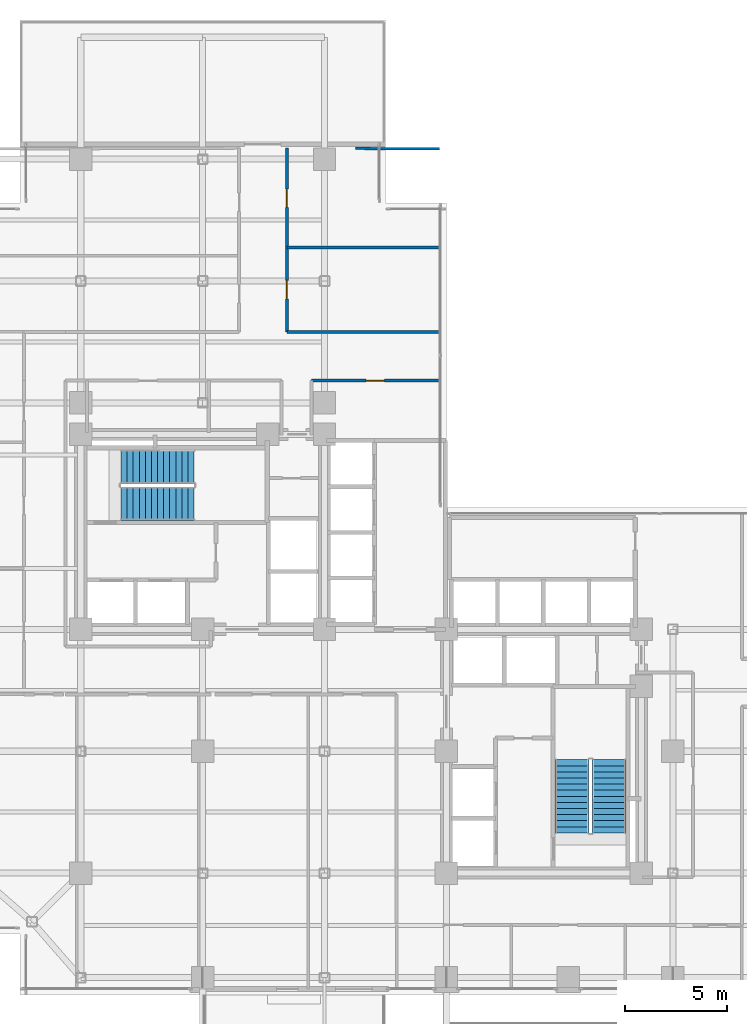
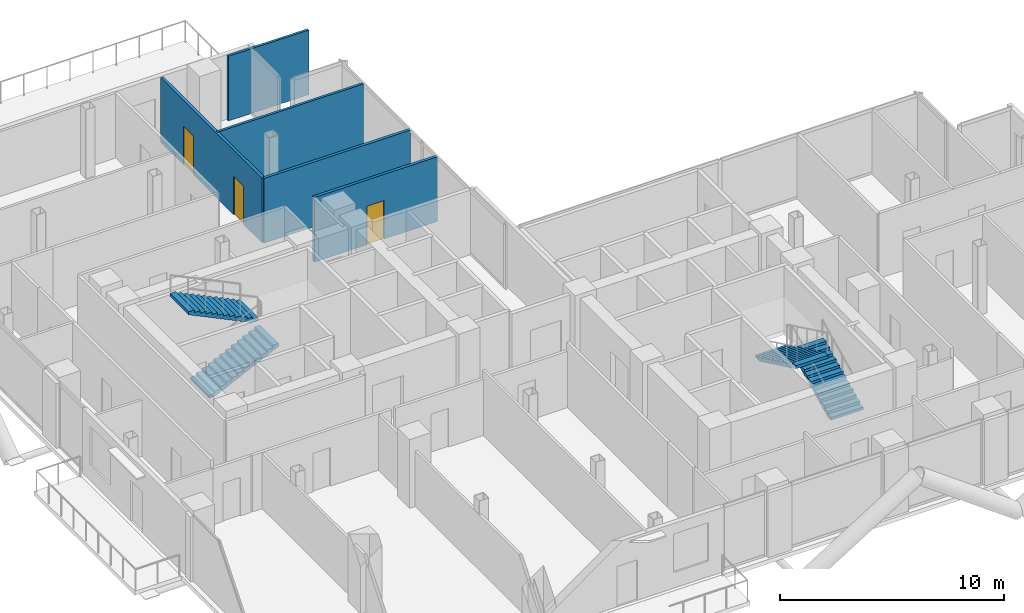
# One storey, part 23 of 26: 5 walls, 4 stair flights, 3 doors, 3 openings, 2 elements without a shape of their own.
"""IFC4 building model written with IfcOpenShell, lengths in metres."""

from ifc_helpers import new_model, si_unit, direction, frame, frame_2d, origin, place, context, subcontext, project, spatial, polyline, rectangle, outline, extrude, material, layer, layer_set, type_object, element, fill, aggregate, save


model = new_model("IFC4")

# Units and contexts
model_context = context("Model", 3, precision=1e-05, world=origin(), true_north=direction((0.0, 1.0)))
body_context = subcontext(model_context, "Body", "Model", "MODEL_VIEW")
ifc_project = project(units=[si_unit("LENGTHUNIT", "METRE"), si_unit("AREAUNIT", "SQUARE_METRE"), si_unit("VOLUMEUNIT", "CUBIC_METRE"), si_unit("PLANEANGLEUNIT", "RADIAN"), si_unit("MASSUNIT", "GRAM", prefix="KILO"), si_unit("THERMODYNAMICTEMPERATUREUNIT", "KELVIN"), si_unit("POWERUNIT", "WATT")], contexts=[model_context])

# Site, building, storey
site_placement = place(None, origin())
site = spatial("IfcSite", under=ifc_project, at=site_placement, CompositionType="ELEMENT")
building_placement = place(site_placement, origin())
building = spatial("IfcBuilding", under=site, at=building_placement, Name="Svarakhadi Broadcast Tower", CompositionType="ELEMENT")
storey_placement = place(building_placement, frame((0.0, 0.0, 99.60009765625)))
storey = spatial("IfcBuildingStorey", under=building, at=storey_placement, Name="L23", CompositionType="ELEMENT", Elevation=99.60009765625)

# Walls
ifc_material_1 = material(Name="Fire-Rated Moisture-Resistant Gypsum Board Partition", Category="gypsum")
ifc_layer_1 = layer(ifc_material_1, 0.125)
ifc_layer_set_1 = layer_set([ifc_layer_1], Name="Fire-Rated Moisture-Resistant Gypsum Board Partition")
wall_type_1 = type_object("IfcWallType", Name="Wall_Part_125", PredefinedType="PARTITIONING", material=ifc_layer_set_1)
wall_1_placement = place(storey_placement, frame((16.14990234375, 36.800048828125, 0.0), z_axis=(0.0, 0.0, 1.0), x_axis=(1.0, 0.0, 0.0)))
element("IfcWall", 1, at=wall_1_placement, inside=storey, type_object=wall_type_1, Name="L23 North Terrace Reception Lounge Wall", PredefinedType="PARTITIONING", context=body_context, shape_type="SweptSolid", body=[
    extrude(rectangle(XDim=7.550048828125, YDim=0.125, at=frame_2d((3.77490234375, 0.0))), origin(), (0.0, 0.0, 1.0), 3.52490234375),
])
wall_2_placement = place(storey_placement, frame((19.52490234375, 41.677490234375, 0.0), z_axis=(0.0, 0.0, 1.0), x_axis=(0.999977636256, -0.006687823917, 0.0)))
element("IfcWall", 2, at=wall_2_placement, inside=storey, type_object=wall_type_1, Name="L23 Schedule Desk Office Wall", PredefinedType="PARTITIONING", context=body_context, shape_type="SweptSolid", body=[
    extrude(rectangle(XDim=4.125, YDim=0.125, at=frame_2d((2.0625, 0.0))), origin(), (0.0, 0.0, 1.0), 3.52490234375),
])

# Wall, openings, doors
ifc_material_2 = material(Name="Autoclaved Aerated Concrete Blockwork 150 mm", Category="masonry")
ifc_layer_2 = layer(ifc_material_2, 0.14990234375)
ifc_layer_set_2 = layer_set([ifc_layer_2], Name="Autoclaved Aerated Concrete Blockwork 150 mm")
wall_type_2 = type_object("IfcWallType", Name="Wall_Part_150", PredefinedType="PARTITIONING", material=ifc_layer_set_2)
wall_3_placement = place(storey_placement, frame((16.14990234375, 41.699951171875, 0.0), z_axis=(0.0, 0.0, 1.0), x_axis=(0.0, -1.0, 0.0)))
wall_3 = element("IfcWall", 3, at=wall_3_placement, inside=storey, type_object=wall_type_2, Name="L23 Broadcast Corridor Wall", PredefinedType="PARTITIONING", context=body_context, shape_type="SweptSolid", body=[
    extrude(rectangle(XDim=9.050048828125, YDim=0.14990234375, at=frame_2d((4.52490234375, 0.0))), origin(), (0.0, 0.0, 1.0), 3.52490234375),
])
opening_1_placement = place(wall_3_placement, frame((6.52490234375, 0.0, 0.0)))
opening_1 = element("IfcOpeningElement", 4, at=opening_1_placement, cuts=wall_3, Name="Opening D-15", PredefinedType="OPENING", context=body_context, shape_type="SweptSolid", body=[
    extrude(rectangle(XDim=0.89990234375, YDim=2.10009765625, at=frame_2d((0.449951171875, 1.050048828125))), frame((0.0, 0.0849609375, 0.0), z_axis=(0.0, -1.0, 0.0), x_axis=(1.0, 0.0, 0.0)), (0.0, 0.0, 1.0), 0.169921875),
])
opening_2_placement = place(wall_3_placement, frame((2.02490234375, 0.0, 0.0)))
opening_2 = element("IfcOpeningElement", 5, at=opening_2_placement, cuts=wall_3, Name="Opening D-14", PredefinedType="OPENING", context=body_context, shape_type="SweptSolid", body=[
    extrude(rectangle(XDim=0.89990234375, YDim=2.10009765625, at=frame_2d((0.449951171875, 1.050048828125))), frame((0.0, 0.0849609375, 0.0), z_axis=(0.0, -1.0, 0.0), x_axis=(1.0, 0.0, 0.0)), (0.0, 0.0, 1.0), 0.169921875),
])
ifc_material_3 = material(Name="Solid-Core Teak Veneer Acoustic Timber Leaf", Category="wood")
door_type_1 = type_object("IfcDoorType", Name="Door_Int_D14", OperationType="SINGLE_SWING_LEFT", PredefinedType="DOOR", material=ifc_material_3)
door_1_placement = place(opening_2_placement, origin())
door_1 = element("IfcDoor", 6, at=door_1_placement, inside=storey, type_object=door_type_1, Name="L23 Schedule Desk Office Door", OperationType="SINGLE_SWING_LEFT", OverallHeight=2.10009765625, OverallWidth=0.89990234375, PredefinedType="DOOR", context=body_context, shape_type="SweptSolid", body=[
    extrude(rectangle(XDim=0.89990234375, YDim=2.10009765625, at=frame_2d((0.449951171875, 1.050048828125))), frame((0.0, 0.02490234375, 0.0), z_axis=(0.0, -1.0, 0.0), x_axis=(1.0, 0.0, 0.0)), (0.0, 0.0, 1.0), 0.050048828125),
])
fill(opening_2, door_1)
door_type_2 = type_object("IfcDoorType", Name="Door_Int_D15", OperationType="SINGLE_SWING_RIGHT", PredefinedType="DOOR", material=ifc_material_3)
door_2_placement = place(opening_1_placement, origin())
door_2 = element("IfcDoor", 7, at=door_2_placement, inside=storey, type_object=door_type_2, Name="L23 North Terrace Reception Lounge Door", OperationType="SINGLE_SWING_RIGHT", OverallHeight=2.10009765625, OverallWidth=0.89990234375, PredefinedType="DOOR", context=body_context, shape_type="SweptSolid", body=[
    extrude(rectangle(XDim=0.89990234375, YDim=2.10009765625, at=frame_2d((0.449951171875, 1.050048828125))), frame((0.0, 0.02490234375, 0.0), z_axis=(0.0, -1.0, 0.0), x_axis=(1.0, 0.0, 0.0)), (0.0, 0.0, 1.0), 0.050048828125),
])
fill(opening_1, door_2)

# Wall
wall_4_placement = place(storey_placement, frame((16.14990234375, 32.64990234375, 0.0), z_axis=(0.0, 0.0, 1.0), x_axis=(1.0, 0.0, 0.0)))
element("IfcWall", 8, at=wall_4_placement, inside=storey, type_object=wall_type_2, Name="L23 Broadcast Corridor Wall", PredefinedType="PARTITIONING", context=body_context, shape_type="SweptSolid", body=[
    extrude(rectangle(XDim=7.550048828125, YDim=0.14990234375, at=frame_2d((3.77490234375, 0.0))), origin(), (0.0, 0.0, 1.0), 3.52490234375),
])

# Wall, opening, door
wall_5_placement = place(storey_placement, frame((23.699951171875, 30.25, 0.0), z_axis=(0.0, 0.0, 1.0), x_axis=(-1.0, 0.0, 0.0)))
wall_5 = element("IfcWall", 9, at=wall_5_placement, inside=storey, type_object=wall_type_2, Name="L23 Broadcast Corridor Wall", PredefinedType="PARTITIONING", context=body_context, shape_type="SweptSolid", body=[
    extrude(rectangle(XDim=6.349853515625, YDim=0.14990234375, at=frame_2d((3.1748046875, 0.0))), origin(), (0.0, 0.0, 1.0), 3.52490234375),
])
opening_3_placement = place(wall_5_placement, frame((2.75, 0.0, 0.0)))
opening_3 = element("IfcOpeningElement", 10, at=opening_3_placement, cuts=wall_5, Name="Opening D-15", PredefinedType="OPENING", context=body_context, shape_type="SweptSolid", body=[
    extrude(rectangle(XDim=0.89990234375, YDim=2.10009765625, at=frame_2d((0.449951171875, 1.050048828125))), frame((0.0, 0.0849609375, 0.0), z_axis=(0.0, -1.0, 0.0), x_axis=(1.0, 0.0, 0.0)), (0.0, 0.0, 1.0), 0.169921875),
])
door_3_placement = place(opening_3_placement, origin())
door_3 = element("IfcDoor", 11, at=door_3_placement, inside=storey, type_object=door_type_2, Name="L23 Production Continuity Office Door", OperationType="SINGLE_SWING_RIGHT", OverallHeight=2.10009765625, OverallWidth=0.89990234375, PredefinedType="DOOR", context=body_context, shape_type="SweptSolid", body=[
    extrude(rectangle(XDim=0.89990234375, YDim=2.10009765625, at=frame_2d((0.449951171875, 1.050048828125))), frame((0.0, 0.02490234375, 0.0), z_axis=(0.0, -1.0, 0.0), x_axis=(1.0, 0.0, 0.0)), (0.0, 0.0, 1.0), 0.050048828125),
])
fill(opening_3, door_3)

# Stair, stair flights
ifc_material_4 = material(Name="Concrete C40/50 (IS 456 M50)", Category="concrete")
stair_type = type_object("IfcStairType", Name="Stair_Exit_Core", PredefinedType="HALF_TURN_STAIR", material=ifc_material_4)
stair_1_placement = place(storey_placement, origin())
stair_1 = element("IfcStair", 12, at=stair_1_placement, inside=storey, type_object=stair_type, Name="L23 West Core Protected Exit Stair ST-01", PredefinedType="HALF_TURN_STAIR")
stair_flight_type = type_object("IfcStairFlightType", Name="Flight_RC_1680", PredefinedType="STRAIGHT", material=ifc_material_4)
stair_flight_1_placement = place(storey_placement, frame((7.97998046875, 24.18994140625, 0.0), z_axis=(0.0, 0.0, 1.0), x_axis=(1.0, 0.0, 0.0)))
stair_flight_1 = element("IfcStairFlight", 13, at=stair_flight_1_placement, type_object=stair_flight_type, Name="ST-01 flight 1", NumberOfRisers=13, NumberOfTreads=12, PredefinedType="STRAIGHT", RiserHeight=0.144230769, TreadLength=0.3, context=body_context, shape_type="SweptSolid", body=[
    extrude(outline(polyline([(0.0, 0.0), (0.0, 0.144287109375), (0.300048828125, 0.144287109375), (0.300048828125, 0.28857421875), (0.60009765625, 0.28857421875), (0.60009765625, 0.4326171875), (0.89990234375, 0.4326171875), (0.89990234375, 0.576904296875), (1.199951171875, 0.576904296875), (1.199951171875, 0.72119140625), (1.5, 0.72119140625), (1.5, 0.865478515625), (1.800048828125, 0.865478515625), (1.800048828125, 1.009521484375), (2.10009765625, 1.009521484375), (2.10009765625, 1.15380859375), (2.39990234375, 1.15380859375), (2.39990234375, 1.298095703125), (2.699951171875, 1.298095703125), (2.699951171875, 1.4423828125), (3.0, 1.4423828125), (3.0, 1.58642578125), (3.300048828125, 1.58642578125), (3.300048828125, 1.730712890625), (3.60009765625, 1.730712890625), (3.60009765625, 1.875), (3.60009765625, 1.564453125), (0.345947265625, 0.0), (0.0, 0.0)])), frame((0.0, 0.830078125, 0.0), z_axis=(0.0, -1.0, 0.0), x_axis=(1.0, 0.0, 0.0)), (0.0, 0.0, 1.0), 1.659912109375),
])
stair_flight_2_placement = place(storey_placement, frame((11.580078125, 26.010009765625, 1.875), z_axis=(0.0, 0.0, 1.0), x_axis=(-1.0, 0.0, 0.0)))
stair_flight_2 = element("IfcStairFlight", 14, at=stair_flight_2_placement, type_object=stair_flight_type, Name="ST-01 flight 2", NumberOfRisers=13, NumberOfTreads=12, PredefinedType="STRAIGHT", RiserHeight=0.144230769, TreadLength=0.3, context=body_context, shape_type="SweptSolid", body=[
    extrude(outline(polyline([(0.0, 0.0), (0.0, 0.144287109375), (0.300048828125, 0.144287109375), (0.300048828125, 0.28857421875), (0.60009765625, 0.28857421875), (0.60009765625, 0.4326171875), (0.89990234375, 0.4326171875), (0.89990234375, 0.576904296875), (1.199951171875, 0.576904296875), (1.199951171875, 0.72119140625), (1.5, 0.72119140625), (1.5, 0.865478515625), (1.800048828125, 0.865478515625), (1.800048828125, 1.009521484375), (2.10009765625, 1.009521484375), (2.10009765625, 1.15380859375), (2.39990234375, 1.15380859375), (2.39990234375, 1.298095703125), (2.699951171875, 1.298095703125), (2.699951171875, 1.4423828125), (3.0, 1.4423828125), (3.0, 1.58642578125), (3.300048828125, 1.58642578125), (3.300048828125, 1.730712890625), (3.60009765625, 1.730712890625), (3.60009765625, 1.875), (3.60009765625, 1.564453125), (0.345947265625, 0.0), (0.0, 0.0)])), frame((0.0, 0.830078125, 0.0), z_axis=(0.0, -1.0, 0.0), x_axis=(1.0, 0.0, 0.0)), (0.0, 0.0, 1.0), 1.659912109375),
])
aggregate(stair_1, [stair_flight_1, stair_flight_2])

stair_2_placement = place(storey_placement, origin())
stair_2 = element("IfcStair", 15, at=stair_2_placement, inside=storey, type_object=stair_type, Name="L23 East Core Protected Exit Stair ST-02", PredefinedType="HALF_TURN_STAIR")
stair_flight_3_placement = place(storey_placement, frame((32.010009765625, 7.97998046875, 0.0), z_axis=(0.0, 0.0, 1.0), x_axis=(0.0, 1.0, 0.0)))
stair_flight_3 = element("IfcStairFlight", 16, at=stair_flight_3_placement, type_object=stair_flight_type, Name="ST-02 flight 1", NumberOfRisers=13, NumberOfTreads=12, PredefinedType="STRAIGHT", RiserHeight=0.144230769, TreadLength=0.3, context=body_context, shape_type="SweptSolid", body=[
    extrude(outline(polyline([(0.0, 0.0), (0.0, 0.144287109375), (0.300048828125, 0.144287109375), (0.300048828125, 0.28857421875), (0.60009765625, 0.28857421875), (0.60009765625, 0.4326171875), (0.89990234375, 0.4326171875), (0.89990234375, 0.576904296875), (1.199951171875, 0.576904296875), (1.199951171875, 0.72119140625), (1.5, 0.72119140625), (1.5, 0.865478515625), (1.800048828125, 0.865478515625), (1.800048828125, 1.009521484375), (2.10009765625, 1.009521484375), (2.10009765625, 1.15380859375), (2.39990234375, 1.15380859375), (2.39990234375, 1.298095703125), (2.699951171875, 1.298095703125), (2.699951171875, 1.4423828125), (3.0, 1.4423828125), (3.0, 1.58642578125), (3.300048828125, 1.58642578125), (3.300048828125, 1.730712890625), (3.60009765625, 1.730712890625), (3.60009765625, 1.875), (3.60009765625, 1.564453125), (0.345947265625, 0.0), (0.0, 0.0)])), frame((0.0, 0.830078125, 0.0), z_axis=(0.0, -1.0, 0.0), x_axis=(1.0, 0.0, 0.0)), (0.0, 0.0, 1.0), 1.659912109375),
])
stair_flight_4_placement = place(storey_placement, frame((30.18994140625, 11.580078125, 1.875), z_axis=(0.0, 0.0, 1.0), x_axis=(0.0, -1.0, 0.0)))
stair_flight_4 = element("IfcStairFlight", 17, at=stair_flight_4_placement, type_object=stair_flight_type, Name="ST-02 flight 2", NumberOfRisers=13, NumberOfTreads=12, PredefinedType="STRAIGHT", RiserHeight=0.144230769, TreadLength=0.3, context=body_context, shape_type="SweptSolid", body=[
    extrude(outline(polyline([(0.0, 0.0), (0.0, 0.144287109375), (0.300048828125, 0.144287109375), (0.300048828125, 0.28857421875), (0.60009765625, 0.28857421875), (0.60009765625, 0.4326171875), (0.89990234375, 0.4326171875), (0.89990234375, 0.576904296875), (1.199951171875, 0.576904296875), (1.199951171875, 0.72119140625), (1.5, 0.72119140625), (1.5, 0.865478515625), (1.800048828125, 0.865478515625), (1.800048828125, 1.009521484375), (2.10009765625, 1.009521484375), (2.10009765625, 1.15380859375), (2.39990234375, 1.15380859375), (2.39990234375, 1.298095703125), (2.699951171875, 1.298095703125), (2.699951171875, 1.4423828125), (3.0, 1.4423828125), (3.0, 1.58642578125), (3.300048828125, 1.58642578125), (3.300048828125, 1.730712890625), (3.60009765625, 1.730712890625), (3.60009765625, 1.875), (3.60009765625, 1.564453125), (0.345947265625, 0.0), (0.0, 0.0)])), frame((0.0, 0.830078125, 0.0), z_axis=(0.0, -1.0, 0.0), x_axis=(1.0, 0.0, 0.0)), (0.0, 0.0, 1.0), 1.659912109375),
])
aggregate(stair_2, [stair_flight_3, stair_flight_4])

save(model, "model.ifc")
